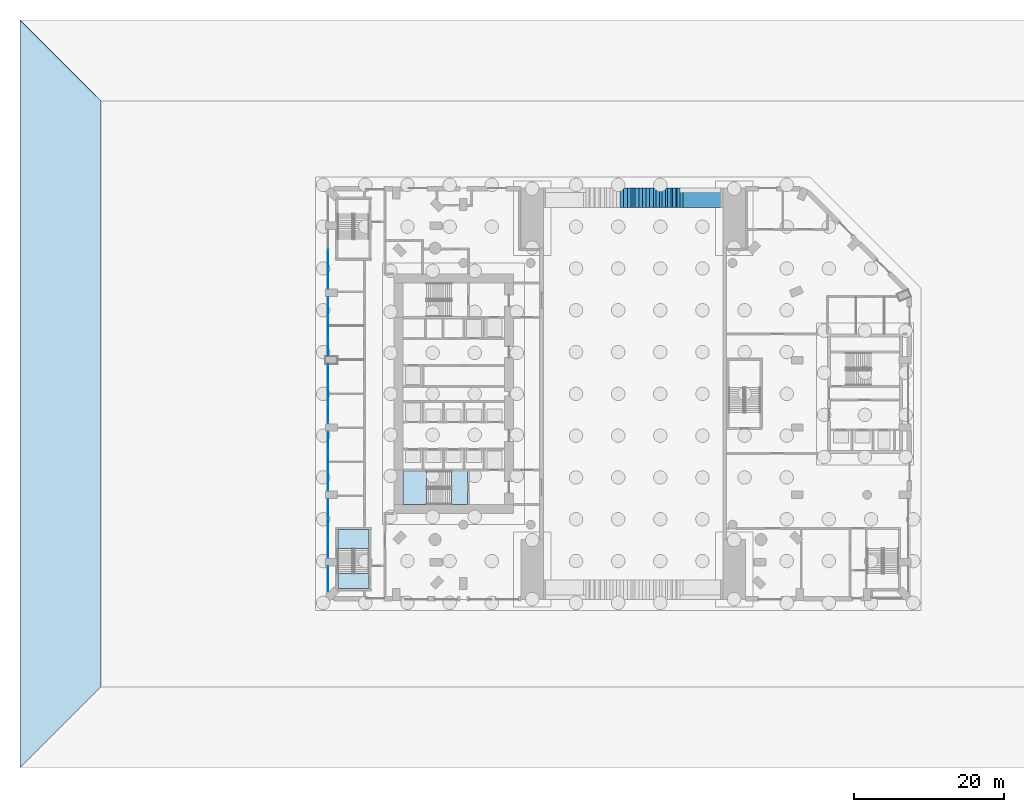
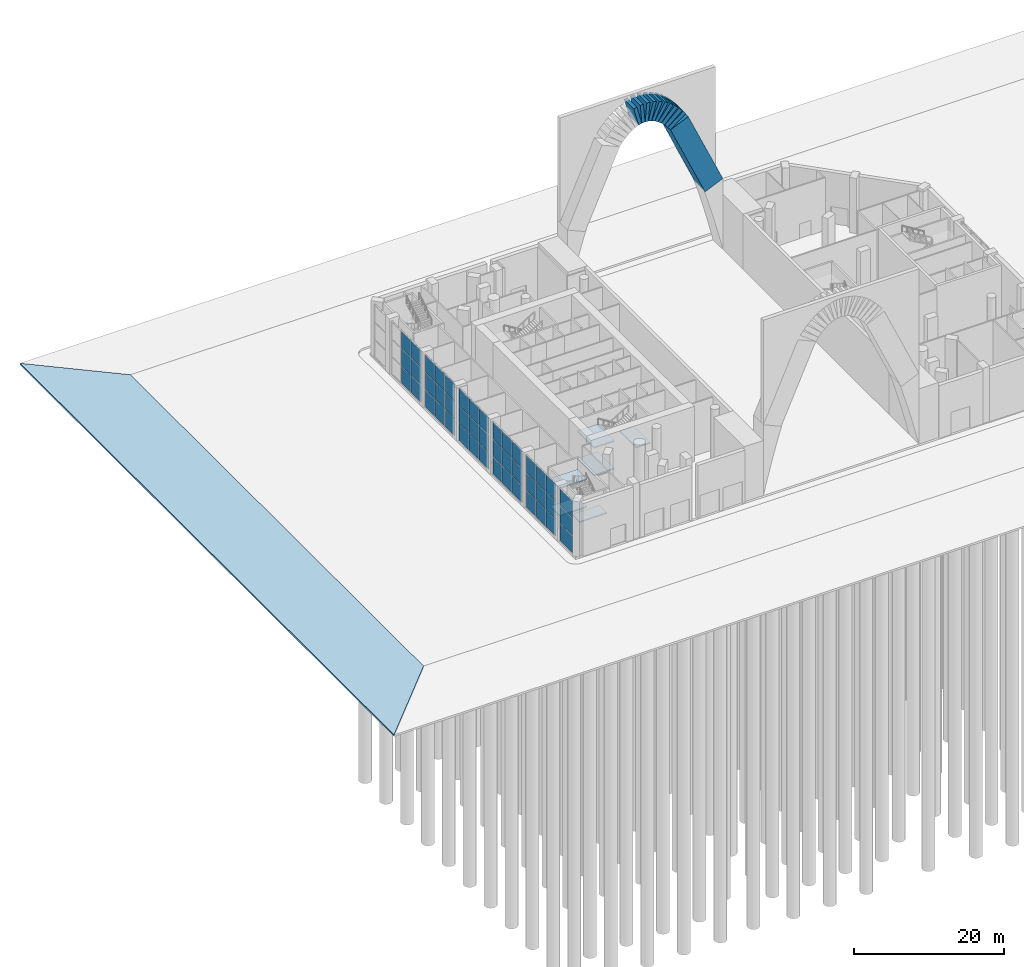
# One storey, part 7 of 25: 45 plates, 11 members, 7 slabs, 8 elements without a shape of their own.
"""IFC4 building model written with IfcOpenShell, lengths in metres."""

from ifc_helpers import new_model, si_unit, direction, frame, origin, origin_2d, place, context, subcontext, project, spatial, polyline, rectangle, outline, extrude, material, layer, layer_set, material_profile, profile_set, type_object, element, aggregate, save


model = new_model("IFC4")

# Units and contexts
model_context = context("Model", 3, precision=1e-05, world=origin(), true_north=direction((0.0, 1.0)))
body_context = subcontext(model_context, "Body", "Model", "MODEL_VIEW")
ifc_project = project(units=[si_unit("LENGTHUNIT", "METRE"), si_unit("AREAUNIT", "SQUARE_METRE"), si_unit("VOLUMEUNIT", "CUBIC_METRE"), si_unit("PLANEANGLEUNIT", "RADIAN"), si_unit("MASSUNIT", "GRAM", prefix="KILO")], contexts=[model_context])

# Site, building, storey
site_placement = place(None, origin())
site = spatial("IfcSite", under=ifc_project, at=site_placement, CompositionType="ELEMENT")
building_placement = place(site_placement, origin())
building = spatial("IfcBuilding", under=site, at=building_placement, Name="Cypress Arch Tower", CompositionType="ELEMENT")
storey_placement = place(building_placement, origin())
storey = spatial("IfcBuildingStorey", under=building, at=storey_placement, Name="L00", CompositionType="ELEMENT", Elevation=0.0)

# Members
ifc_material_1 = material(Name="Concrete C80/95", Category="concrete")
ifc_material_profile = material_profile(ifc_material_1, rectangle(XDim=2.60009765625, YDim=3.0, at=origin_2d()), Name="RC 2600x3000")
ifc_profile_set = profile_set([ifc_material_profile], Name="Concrete C80/95")
member_type = type_object("IfcMemberType", Name="Arch rib RC 2600x3000 Concrete C80/95", PredefinedType="USERDEFINED", material=ifc_profile_set)
member_1_placement = place(storey_placement, frame((0.623291015625, 26.199951171875, 26.2734375), z_axis=(0.967855042263, 0.0, 0.251508682087), x_axis=(0.0, 1.0, 0.0)))
element("IfcMember", 1, at=member_1_placement, inside=storey, type_object=member_type, Name="Gate arch rib RIB-N22", ObjectType="ARCH RIB", PredefinedType="USERDEFINED", context=body_context, shape_type="SweptSolid", body=[
    extrude(rectangle(XDim=2.60009765625, YDim=3.0, at=origin_2d()), origin(), (0.0, 0.0, 1.0), 0.511474609375),
])
for number, where, z_axis, x_axis, name in (
    (2, (1.3720703125, 26.199951171875, 26.445556640625), (0.996262654234, 0.0, 0.086375481352), (0.0, 1.0, 0.0), "Gate arch rib RIB-N23"),
    (3, (2.13232421875, 26.199951171875, 26.488525390625), (0.996262654234, 0.0, -0.086375481352), (0.0, 1.0, 0.0), "Gate arch rib RIB-N24"),
):
    element("IfcMember", number, at=place(storey_placement, frame(where, z_axis=z_axis, x_axis=x_axis)), inside=storey, type_object=member_type, Name=name, ObjectType="ARCH RIB", PredefinedType="USERDEFINED", context=body_context, shape_type="SweptSolid", body=[
        extrude(rectangle(XDim=2.60009765625, YDim=3.0, at=origin_2d()), origin(), (0.0, 0.0, 1.0), 0.49755859375),
    ])
member_2_placement = place(storey_placement, frame((2.881591796875, 26.199951171875, 26.402099609375), z_axis=(0.967855042263, 0.0, -0.251508682087), x_axis=(0.0, 1.0, 0.0)))
element("IfcMember", 4, at=member_2_placement, inside=storey, type_object=member_type, Name="Gate arch rib RIB-N25", ObjectType="ARCH RIB", PredefinedType="USERDEFINED", context=body_context, shape_type="SweptSolid", body=[
    extrude(rectangle(XDim=2.60009765625, YDim=3.0, at=origin_2d()), origin(), (0.0, 0.0, 1.0), 0.511474609375),
])
member_3_placement = place(storey_placement, frame((3.601318359375, 26.199951171875, 26.196044921875), z_axis=(0.917544609986, 0.0, -0.397632856647), x_axis=(0.0, 1.0, 0.0)))
element("IfcMember", 5, at=member_3_placement, inside=storey, type_object=member_type, Name="Gate arch rib RIB-N26", ObjectType="ARCH RIB", PredefinedType="USERDEFINED", context=body_context, shape_type="SweptSolid", body=[
    extrude(rectangle(XDim=2.60009765625, YDim=3.0, at=origin_2d()), origin(), (0.0, 0.0, 1.0), 0.5390625),
])
member_4_placement = place(storey_placement, frame((4.283203125, 26.199951171875, 25.885009765625), z_axis=(0.854988032959, 0.0, -0.518647725818), x_axis=(0.0, 1.0, 0.0)))
element("IfcMember", 6, at=member_4_placement, inside=storey, type_object=member_type, Name="Gate arch rib RIB-N27", ObjectType="ARCH RIB", PredefinedType="USERDEFINED", context=body_context, shape_type="SweptSolid", body=[
    extrude(rectangle(XDim=2.60009765625, YDim=3.0, at=origin_2d()), origin(), (0.0, 0.0, 1.0), 0.57861328125),
])
member_5_placement = place(storey_placement, frame((4.927490234375, 26.199951171875, 25.4814453125), z_axis=(0.788366417361, 0.0, -0.615205975245), x_axis=(0.0, 1.0, 0.0)))
element("IfcMember", 7, at=member_5_placement, inside=storey, type_object=member_type, Name="Gate arch rib RIB-N28", ObjectType="ARCH RIB", PredefinedType="USERDEFINED", context=body_context, shape_type="SweptSolid", body=[
    extrude(rectangle(XDim=2.60009765625, YDim=3.0, at=origin_2d()), origin(), (0.0, 0.0, 1.0), 0.62744140625),
])
member_6_placement = place(storey_placement, frame((5.539306640625, 26.199951171875, 24.994140625), z_axis=(0.723671260726, 0.0, -0.690144844507), x_axis=(0.0, 1.0, 0.0)))
element("IfcMember", 8, at=member_6_placement, inside=storey, type_object=member_type, Name="Gate arch rib RIB-N29", ObjectType="ARCH RIB", PredefinedType="USERDEFINED", context=body_context, shape_type="SweptSolid", body=[
    extrude(rectangle(XDim=2.60009765625, YDim=3.0, at=origin_2d()), origin(), (0.0, 0.0, 1.0), 0.6845703125),
])
member_7_placement = place(storey_placement, frame((6.125732421875, 26.199951171875, 24.42724609375), z_axis=(0.663349104296, 0.0, -0.748310073319), x_axis=(0.0, 1.0, 0.0)))
element("IfcMember", 9, at=member_7_placement, inside=storey, type_object=member_type, Name="Gate arch rib RIB-N30", ObjectType="ARCH RIB", PredefinedType="USERDEFINED", context=body_context, shape_type="SweptSolid", body=[
    extrude(rectangle(XDim=2.60009765625, YDim=3.0, at=origin_2d()), origin(), (0.0, 0.0, 1.0), 0.7470703125),
])
member_8_placement = place(storey_placement, frame((6.692138671875, 26.199951171875, 23.7822265625), z_axis=(0.609364245785, 0.0, -0.792890418633), x_axis=(0.0, 1.0, 0.0)))
element("IfcMember", 10, at=member_8_placement, inside=storey, type_object=member_type, Name="Gate arch rib RIB-N31", ObjectType="ARCH RIB", PredefinedType="USERDEFINED", context=body_context, shape_type="SweptSolid", body=[
    extrude(rectangle(XDim=2.60009765625, YDim=3.0, at=origin_2d()), origin(), (0.0, 0.0, 1.0), 0.68115234375),
])
member_9_placement = place(storey_placement, frame((7.291015625, 26.199951171875, 22.933349609375), z_axis=(0.4067510617, 0.0, -0.913539037921), x_axis=(0.0, 1.0, 0.0)))
element("IfcMember", 11, at=member_9_placement, inside=storey, type_object=member_type, Name="Gate arch rib RIB-N32", ObjectType="ARCH RIB", PredefinedType="USERDEFINED", context=body_context, shape_type="SweptSolid", body=[
    extrude(rectangle(XDim=2.60009765625, YDim=3.0, at=origin_2d()), origin(), (0.0, 0.0, 1.0), 13.125),
])

# Curtain wall, plates
ifc_material_2 = material(Name="Anodised aluminium, bronze finish, clear laminated low-emissivity double glazing", Category="aluminium")
curtain_wall_type = type_object("IfcCurtainWallType", Name="Curtain wall CW1 ground storefront", PredefinedType="NOTDEFINED", material=ifc_material_2)
curtain_wall_1_placement = place(storey_placement, origin())
curtain_wall_1 = element("IfcCurtainWall", 12, at=curtain_wall_1_placement, inside=storey, type_object=curtain_wall_type, Name="Curtain wall L00 P04.1.1", PredefinedType="NOTDEFINED")
ifc_material_3 = material(Name="Clear laminated low-emissivity double glazing", Category="glass")
ifc_layer_1 = layer(ifc_material_3, 0.035888671875)
ifc_layer_set_1 = layer_set([ifc_layer_1], Name="Glass panel CW1 36")
plate_type = type_object("IfcPlateType", Name="Glass panel CW1 36", PredefinedType="CURTAIN_PANEL", material=ifc_layer_set_1)
plate_1_placement = place(storey_placement, frame((-38.800048828125, 18.0, 0.06494140625), z_axis=(0.0, 0.0, 1.0), x_axis=(0.0, -1.0, 0.0)))
plate_1 = element("IfcPlate", 13, at=plate_1_placement, type_object=plate_type, Name="CW1 panel 2.1", PredefinedType="CURTAIN_PANEL", context=body_context, shape_type="SweptSolid", body=[
    extrude(rectangle(XDim=2.6015625, YDim=0.035888671875, at=origin_2d()), origin(), (0.0, 0.0, 1.0), 2.769287109375),
])
plate_2_placement = place(storey_placement, frame((-38.800048828125, 18.0, 2.899169921875), z_axis=(0.0, 0.0, 1.0), x_axis=(0.0, -1.0, 0.0)))
plate_2 = element("IfcPlate", 14, at=plate_2_placement, type_object=plate_type, Name="CW1 panel 2.2", PredefinedType="CURTAIN_PANEL", context=body_context, shape_type="SweptSolid", body=[
    extrude(rectangle(XDim=2.6015625, YDim=0.035888671875, at=origin_2d()), origin(), (0.0, 0.0, 1.0), 2.8017578125),
])
plate_3_placement = place(storey_placement, frame((-38.800048828125, 18.0, 5.765625), z_axis=(0.0, 0.0, 1.0), x_axis=(0.0, -1.0, 0.0)))
plate_3 = element("IfcPlate", 15, at=plate_3_placement, type_object=plate_type, Name="CW1 panel 2.3", PredefinedType="CURTAIN_PANEL", context=body_context, shape_type="SweptSolid", body=[
    extrude(rectangle(XDim=2.6015625, YDim=0.035888671875, at=origin_2d()), origin(), (0.0, 0.0, 1.0), 2.769287109375),
])
plate_4_placement = place(storey_placement, frame((-38.800048828125, 15.349609375, 0.06494140625), z_axis=(0.0, 0.0, 1.0), x_axis=(0.0, -1.0, 0.0)))
plate_4 = element("IfcPlate", 16, at=plate_4_placement, type_object=plate_type, Name="CW1 panel 3.1", PredefinedType="CURTAIN_PANEL", context=body_context, shape_type="SweptSolid", body=[
    extrude(rectangle(XDim=2.569091796875, YDim=0.035888671875, at=origin_2d()), origin(), (0.0, 0.0, 1.0), 2.769287109375),
])
plate_5_placement = place(storey_placement, frame((-38.800048828125, 15.349609375, 2.899169921875), z_axis=(0.0, 0.0, 1.0), x_axis=(0.0, -1.0, 0.0)))
plate_5 = element("IfcPlate", 17, at=plate_5_placement, type_object=plate_type, Name="CW1 panel 3.2", PredefinedType="CURTAIN_PANEL", context=body_context, shape_type="SweptSolid", body=[
    extrude(rectangle(XDim=2.569091796875, YDim=0.035888671875, at=origin_2d()), origin(), (0.0, 0.0, 1.0), 2.8017578125),
])
plate_6_placement = place(storey_placement, frame((-38.800048828125, 15.349609375, 5.765625), z_axis=(0.0, 0.0, 1.0), x_axis=(0.0, -1.0, 0.0)))
plate_6 = element("IfcPlate", 18, at=plate_6_placement, type_object=plate_type, Name="CW1 panel 3.3", PredefinedType="CURTAIN_PANEL", context=body_context, shape_type="SweptSolid", body=[
    extrude(rectangle(XDim=2.569091796875, YDim=0.035888671875, at=origin_2d()), origin(), (0.0, 0.0, 1.0), 2.769287109375),
])
aggregate(curtain_wall_1, [plate_1, plate_2, plate_3, plate_4, plate_5, plate_6])

curtain_wall_2_placement = place(storey_placement, origin())
curtain_wall_2 = element("IfcCurtainWall", 19, at=curtain_wall_2_placement, inside=storey, type_object=curtain_wall_type, Name="Curtain wall L00 P04.2.1", PredefinedType="NOTDEFINED")
plate_7_placement = place(storey_placement, frame((-38.800048828125, 11.650390625, 0.06494140625), z_axis=(0.0, 0.0, 1.0), x_axis=(0.0, -1.0, 0.0)))
plate_7 = element("IfcPlate", 20, at=plate_7_placement, type_object=plate_type, Name="CW1 panel 1.1", PredefinedType="CURTAIN_PANEL", context=body_context, shape_type="SweptSolid", body=[
    extrude(rectangle(XDim=2.569091796875, YDim=0.035888671875, at=origin_2d()), origin(), (0.0, 0.0, 1.0), 2.769287109375),
])
plate_8_placement = place(storey_placement, frame((-38.800048828125, 11.650390625, 2.899169921875), z_axis=(0.0, 0.0, 1.0), x_axis=(0.0, -1.0, 0.0)))
plate_8 = element("IfcPlate", 21, at=plate_8_placement, type_object=plate_type, Name="CW1 panel 1.2", PredefinedType="CURTAIN_PANEL", context=body_context, shape_type="SweptSolid", body=[
    extrude(rectangle(XDim=2.569091796875, YDim=0.035888671875, at=origin_2d()), origin(), (0.0, 0.0, 1.0), 2.8017578125),
])
plate_9_placement = place(storey_placement, frame((-38.800048828125, 11.650390625, 5.765625), z_axis=(0.0, 0.0, 1.0), x_axis=(0.0, -1.0, 0.0)))
plate_9 = element("IfcPlate", 22, at=plate_9_placement, type_object=plate_type, Name="CW1 panel 1.3", PredefinedType="CURTAIN_PANEL", context=body_context, shape_type="SweptSolid", body=[
    extrude(rectangle(XDim=2.569091796875, YDim=0.035888671875, at=origin_2d()), origin(), (0.0, 0.0, 1.0), 2.769287109375),
])
plate_10_placement = place(storey_placement, frame((-38.800048828125, 9.0, 0.06494140625), z_axis=(0.0, 0.0, 1.0), x_axis=(0.0, -1.0, 0.0)))
plate_10 = element("IfcPlate", 23, at=plate_10_placement, type_object=plate_type, Name="CW1 panel 2.1", PredefinedType="CURTAIN_PANEL", context=body_context, shape_type="SweptSolid", body=[
    extrude(rectangle(XDim=2.6015625, YDim=0.035888671875, at=origin_2d()), origin(), (0.0, 0.0, 1.0), 2.769287109375),
])
plate_11_placement = place(storey_placement, frame((-38.800048828125, 9.0, 2.899169921875), z_axis=(0.0, 0.0, 1.0), x_axis=(0.0, -1.0, 0.0)))
plate_11 = element("IfcPlate", 24, at=plate_11_placement, type_object=plate_type, Name="CW1 panel 2.2", PredefinedType="CURTAIN_PANEL", context=body_context, shape_type="SweptSolid", body=[
    extrude(rectangle(XDim=2.6015625, YDim=0.035888671875, at=origin_2d()), origin(), (0.0, 0.0, 1.0), 2.8017578125),
])
plate_12_placement = place(storey_placement, frame((-38.800048828125, 9.0, 5.765625), z_axis=(0.0, 0.0, 1.0), x_axis=(0.0, -1.0, 0.0)))
plate_12 = element("IfcPlate", 25, at=plate_12_placement, type_object=plate_type, Name="CW1 panel 2.3", PredefinedType="CURTAIN_PANEL", context=body_context, shape_type="SweptSolid", body=[
    extrude(rectangle(XDim=2.6015625, YDim=0.035888671875, at=origin_2d()), origin(), (0.0, 0.0, 1.0), 2.769287109375),
])
plate_13_placement = place(storey_placement, frame((-38.800048828125, 6.349609375, 0.06494140625), z_axis=(0.0, 0.0, 1.0), x_axis=(0.0, -1.0, 0.0)))
plate_13 = element("IfcPlate", 26, at=plate_13_placement, type_object=plate_type, Name="CW1 panel 3.1", PredefinedType="CURTAIN_PANEL", context=body_context, shape_type="SweptSolid", body=[
    extrude(rectangle(XDim=2.569091796875, YDim=0.035888671875, at=origin_2d()), origin(), (0.0, 0.0, 1.0), 2.769287109375),
])
plate_14_placement = place(storey_placement, frame((-38.800048828125, 6.349609375, 2.899169921875), z_axis=(0.0, 0.0, 1.0), x_axis=(0.0, -1.0, 0.0)))
plate_14 = element("IfcPlate", 27, at=plate_14_placement, type_object=plate_type, Name="CW1 panel 3.2", PredefinedType="CURTAIN_PANEL", context=body_context, shape_type="SweptSolid", body=[
    extrude(rectangle(XDim=2.569091796875, YDim=0.035888671875, at=origin_2d()), origin(), (0.0, 0.0, 1.0), 2.8017578125),
])
plate_15_placement = place(storey_placement, frame((-38.800048828125, 6.349609375, 5.765625), z_axis=(0.0, 0.0, 1.0), x_axis=(0.0, -1.0, 0.0)))
plate_15 = element("IfcPlate", 28, at=plate_15_placement, type_object=plate_type, Name="CW1 panel 3.3", PredefinedType="CURTAIN_PANEL", context=body_context, shape_type="SweptSolid", body=[
    extrude(rectangle(XDim=2.569091796875, YDim=0.035888671875, at=origin_2d()), origin(), (0.0, 0.0, 1.0), 2.769287109375),
])
aggregate(curtain_wall_2, [plate_7, plate_8, plate_9, plate_10, plate_11, plate_12, plate_13, plate_14, plate_15])

curtain_wall_3_placement = place(storey_placement, origin())
curtain_wall_3 = element("IfcCurtainWall", 29, at=curtain_wall_3_placement, inside=storey, type_object=curtain_wall_type, Name="Curtain wall L00 P04.3.1", PredefinedType="NOTDEFINED")
plate_16_placement = place(storey_placement, frame((-38.800048828125, 2.650390625, 0.06494140625), z_axis=(0.0, 0.0, 1.0), x_axis=(0.0, -1.0, 0.0)))
plate_16 = element("IfcPlate", 30, at=plate_16_placement, type_object=plate_type, Name="CW1 panel 1.1", PredefinedType="CURTAIN_PANEL", context=body_context, shape_type="SweptSolid", body=[
    extrude(rectangle(XDim=2.569091796875, YDim=0.035888671875, at=origin_2d()), origin(), (0.0, 0.0, 1.0), 2.769287109375),
])
plate_17_placement = place(storey_placement, frame((-38.800048828125, 2.650390625, 2.899169921875), z_axis=(0.0, 0.0, 1.0), x_axis=(0.0, -1.0, 0.0)))
plate_17 = element("IfcPlate", 31, at=plate_17_placement, type_object=plate_type, Name="CW1 panel 1.2", PredefinedType="CURTAIN_PANEL", context=body_context, shape_type="SweptSolid", body=[
    extrude(rectangle(XDim=2.569091796875, YDim=0.035888671875, at=origin_2d()), origin(), (0.0, 0.0, 1.0), 2.8017578125),
])
plate_18_placement = place(storey_placement, frame((-38.800048828125, 2.650390625, 5.765625), z_axis=(0.0, 0.0, 1.0), x_axis=(0.0, -1.0, 0.0)))
plate_18 = element("IfcPlate", 32, at=plate_18_placement, type_object=plate_type, Name="CW1 panel 1.3", PredefinedType="CURTAIN_PANEL", context=body_context, shape_type="SweptSolid", body=[
    extrude(rectangle(XDim=2.569091796875, YDim=0.035888671875, at=origin_2d()), origin(), (0.0, 0.0, 1.0), 2.769287109375),
])
plate_19_placement = place(storey_placement, frame((-38.800048828125, 0.0, 0.06494140625), z_axis=(0.0, 0.0, 1.0), x_axis=(0.0, -1.0, 0.0)))
plate_19 = element("IfcPlate", 33, at=plate_19_placement, type_object=plate_type, Name="CW1 panel 2.1", PredefinedType="CURTAIN_PANEL", context=body_context, shape_type="SweptSolid", body=[
    extrude(rectangle(XDim=2.6015625, YDim=0.035888671875, at=origin_2d()), origin(), (0.0, 0.0, 1.0), 2.769287109375),
])
plate_20_placement = place(storey_placement, frame((-38.800048828125, 0.0, 2.899169921875), z_axis=(0.0, 0.0, 1.0), x_axis=(0.0, -1.0, 0.0)))
plate_20 = element("IfcPlate", 34, at=plate_20_placement, type_object=plate_type, Name="CW1 panel 2.2", PredefinedType="CURTAIN_PANEL", context=body_context, shape_type="SweptSolid", body=[
    extrude(rectangle(XDim=2.6015625, YDim=0.035888671875, at=origin_2d()), origin(), (0.0, 0.0, 1.0), 2.8017578125),
])
plate_21_placement = place(storey_placement, frame((-38.800048828125, 0.0, 5.765625), z_axis=(0.0, 0.0, 1.0), x_axis=(0.0, -1.0, 0.0)))
plate_21 = element("IfcPlate", 35, at=plate_21_placement, type_object=plate_type, Name="CW1 panel 2.3", PredefinedType="CURTAIN_PANEL", context=body_context, shape_type="SweptSolid", body=[
    extrude(rectangle(XDim=2.6015625, YDim=0.035888671875, at=origin_2d()), origin(), (0.0, 0.0, 1.0), 2.769287109375),
])
plate_22_placement = place(storey_placement, frame((-38.800048828125, -2.650390625, 0.06494140625), z_axis=(0.0, 0.0, 1.0), x_axis=(0.0, -1.0, 0.0)))
plate_22 = element("IfcPlate", 36, at=plate_22_placement, type_object=plate_type, Name="CW1 panel 3.1", PredefinedType="CURTAIN_PANEL", context=body_context, shape_type="SweptSolid", body=[
    extrude(rectangle(XDim=2.569091796875, YDim=0.035888671875, at=origin_2d()), origin(), (0.0, 0.0, 1.0), 2.769287109375),
])
plate_23_placement = place(storey_placement, frame((-38.800048828125, -2.650390625, 2.899169921875), z_axis=(0.0, 0.0, 1.0), x_axis=(0.0, -1.0, 0.0)))
plate_23 = element("IfcPlate", 37, at=plate_23_placement, type_object=plate_type, Name="CW1 panel 3.2", PredefinedType="CURTAIN_PANEL", context=body_context, shape_type="SweptSolid", body=[
    extrude(rectangle(XDim=2.569091796875, YDim=0.035888671875, at=origin_2d()), origin(), (0.0, 0.0, 1.0), 2.8017578125),
])
plate_24_placement = place(storey_placement, frame((-38.800048828125, -2.650390625, 5.765625), z_axis=(0.0, 0.0, 1.0), x_axis=(0.0, -1.0, 0.0)))
plate_24 = element("IfcPlate", 38, at=plate_24_placement, type_object=plate_type, Name="CW1 panel 3.3", PredefinedType="CURTAIN_PANEL", context=body_context, shape_type="SweptSolid", body=[
    extrude(rectangle(XDim=2.569091796875, YDim=0.035888671875, at=origin_2d()), origin(), (0.0, 0.0, 1.0), 2.769287109375),
])
aggregate(curtain_wall_3, [plate_16, plate_17, plate_18, plate_19, plate_20, plate_21, plate_22, plate_23, plate_24])

curtain_wall_4_placement = place(storey_placement, origin())
curtain_wall_4 = element("IfcCurtainWall", 39, at=curtain_wall_4_placement, inside=storey, type_object=curtain_wall_type, Name="Curtain wall L00 P04.4.1", PredefinedType="NOTDEFINED")
plate_25_placement = place(storey_placement, frame((-38.800048828125, -6.349609375, 0.06494140625), z_axis=(0.0, 0.0, 1.0), x_axis=(0.0, -1.0, 0.0)))
plate_25 = element("IfcPlate", 40, at=plate_25_placement, type_object=plate_type, Name="CW1 panel 1.1", PredefinedType="CURTAIN_PANEL", context=body_context, shape_type="SweptSolid", body=[
    extrude(rectangle(XDim=2.569091796875, YDim=0.035888671875, at=origin_2d()), origin(), (0.0, 0.0, 1.0), 2.769287109375),
])
plate_26_placement = place(storey_placement, frame((-38.800048828125, -6.349609375, 2.899169921875), z_axis=(0.0, 0.0, 1.0), x_axis=(0.0, -1.0, 0.0)))
plate_26 = element("IfcPlate", 41, at=plate_26_placement, type_object=plate_type, Name="CW1 panel 1.2", PredefinedType="CURTAIN_PANEL", context=body_context, shape_type="SweptSolid", body=[
    extrude(rectangle(XDim=2.569091796875, YDim=0.035888671875, at=origin_2d()), origin(), (0.0, 0.0, 1.0), 2.8017578125),
])
plate_27_placement = place(storey_placement, frame((-38.800048828125, -6.349609375, 5.765625), z_axis=(0.0, 0.0, 1.0), x_axis=(0.0, -1.0, 0.0)))
plate_27 = element("IfcPlate", 42, at=plate_27_placement, type_object=plate_type, Name="CW1 panel 1.3", PredefinedType="CURTAIN_PANEL", context=body_context, shape_type="SweptSolid", body=[
    extrude(rectangle(XDim=2.569091796875, YDim=0.035888671875, at=origin_2d()), origin(), (0.0, 0.0, 1.0), 2.769287109375),
])
plate_28_placement = place(storey_placement, frame((-38.800048828125, -9.0, 0.06494140625), z_axis=(0.0, 0.0, 1.0), x_axis=(0.0, -1.0, 0.0)))
plate_28 = element("IfcPlate", 43, at=plate_28_placement, type_object=plate_type, Name="CW1 panel 2.1", PredefinedType="CURTAIN_PANEL", context=body_context, shape_type="SweptSolid", body=[
    extrude(rectangle(XDim=2.6015625, YDim=0.035888671875, at=origin_2d()), origin(), (0.0, 0.0, 1.0), 2.769287109375),
])
plate_29_placement = place(storey_placement, frame((-38.800048828125, -9.0, 2.899169921875), z_axis=(0.0, 0.0, 1.0), x_axis=(0.0, -1.0, 0.0)))
plate_29 = element("IfcPlate", 44, at=plate_29_placement, type_object=plate_type, Name="CW1 panel 2.2", PredefinedType="CURTAIN_PANEL", context=body_context, shape_type="SweptSolid", body=[
    extrude(rectangle(XDim=2.6015625, YDim=0.035888671875, at=origin_2d()), origin(), (0.0, 0.0, 1.0), 2.8017578125),
])
plate_30_placement = place(storey_placement, frame((-38.800048828125, -9.0, 5.765625), z_axis=(0.0, 0.0, 1.0), x_axis=(0.0, -1.0, 0.0)))
plate_30 = element("IfcPlate", 45, at=plate_30_placement, type_object=plate_type, Name="CW1 panel 2.3", PredefinedType="CURTAIN_PANEL", context=body_context, shape_type="SweptSolid", body=[
    extrude(rectangle(XDim=2.6015625, YDim=0.035888671875, at=origin_2d()), origin(), (0.0, 0.0, 1.0), 2.769287109375),
])
plate_31_placement = place(storey_placement, frame((-38.800048828125, -11.650390625, 0.06494140625), z_axis=(0.0, 0.0, 1.0), x_axis=(0.0, -1.0, 0.0)))
plate_31 = element("IfcPlate", 46, at=plate_31_placement, type_object=plate_type, Name="CW1 panel 3.1", PredefinedType="CURTAIN_PANEL", context=body_context, shape_type="SweptSolid", body=[
    extrude(rectangle(XDim=2.569091796875, YDim=0.035888671875, at=origin_2d()), origin(), (0.0, 0.0, 1.0), 2.769287109375),
])
plate_32_placement = place(storey_placement, frame((-38.800048828125, -11.650390625, 2.899169921875), z_axis=(0.0, 0.0, 1.0), x_axis=(0.0, -1.0, 0.0)))
plate_32 = element("IfcPlate", 47, at=plate_32_placement, type_object=plate_type, Name="CW1 panel 3.2", PredefinedType="CURTAIN_PANEL", context=body_context, shape_type="SweptSolid", body=[
    extrude(rectangle(XDim=2.569091796875, YDim=0.035888671875, at=origin_2d()), origin(), (0.0, 0.0, 1.0), 2.8017578125),
])
plate_33_placement = place(storey_placement, frame((-38.800048828125, -11.650390625, 5.765625), z_axis=(0.0, 0.0, 1.0), x_axis=(0.0, -1.0, 0.0)))
plate_33 = element("IfcPlate", 48, at=plate_33_placement, type_object=plate_type, Name="CW1 panel 3.3", PredefinedType="CURTAIN_PANEL", context=body_context, shape_type="SweptSolid", body=[
    extrude(rectangle(XDim=2.569091796875, YDim=0.035888671875, at=origin_2d()), origin(), (0.0, 0.0, 1.0), 2.769287109375),
])
aggregate(curtain_wall_4, [plate_25, plate_26, plate_27, plate_28, plate_29, plate_30, plate_31, plate_32, plate_33])

curtain_wall_5_placement = place(storey_placement, origin())
curtain_wall_5 = element("IfcCurtainWall", 49, at=curtain_wall_5_placement, inside=storey, type_object=curtain_wall_type, Name="Curtain wall L00 P04.5.1", PredefinedType="NOTDEFINED")
plate_34_placement = place(storey_placement, frame((-38.800048828125, -15.349609375, 0.06494140625), z_axis=(0.0, 0.0, 1.0), x_axis=(0.0, -1.0, 0.0)))
plate_34 = element("IfcPlate", 50, at=plate_34_placement, type_object=plate_type, Name="CW1 panel 1.1", PredefinedType="CURTAIN_PANEL", context=body_context, shape_type="SweptSolid", body=[
    extrude(rectangle(XDim=2.569091796875, YDim=0.035888671875, at=origin_2d()), origin(), (0.0, 0.0, 1.0), 2.769287109375),
])
plate_35_placement = place(storey_placement, frame((-38.800048828125, -15.349609375, 2.899169921875), z_axis=(0.0, 0.0, 1.0), x_axis=(0.0, -1.0, 0.0)))
plate_35 = element("IfcPlate", 51, at=plate_35_placement, type_object=plate_type, Name="CW1 panel 1.2", PredefinedType="CURTAIN_PANEL", context=body_context, shape_type="SweptSolid", body=[
    extrude(rectangle(XDim=2.569091796875, YDim=0.035888671875, at=origin_2d()), origin(), (0.0, 0.0, 1.0), 2.8017578125),
])
plate_36_placement = place(storey_placement, frame((-38.800048828125, -15.349609375, 5.765625), z_axis=(0.0, 0.0, 1.0), x_axis=(0.0, -1.0, 0.0)))
plate_36 = element("IfcPlate", 52, at=plate_36_placement, type_object=plate_type, Name="CW1 panel 1.3", PredefinedType="CURTAIN_PANEL", context=body_context, shape_type="SweptSolid", body=[
    extrude(rectangle(XDim=2.569091796875, YDim=0.035888671875, at=origin_2d()), origin(), (0.0, 0.0, 1.0), 2.769287109375),
])
plate_37_placement = place(storey_placement, frame((-38.800048828125, -18.0, 0.06494140625), z_axis=(0.0, 0.0, 1.0), x_axis=(0.0, -1.0, 0.0)))
plate_37 = element("IfcPlate", 53, at=plate_37_placement, type_object=plate_type, Name="CW1 panel 2.1", PredefinedType="CURTAIN_PANEL", context=body_context, shape_type="SweptSolid", body=[
    extrude(rectangle(XDim=2.6015625, YDim=0.035888671875, at=origin_2d()), origin(), (0.0, 0.0, 1.0), 2.769287109375),
])
plate_38_placement = place(storey_placement, frame((-38.800048828125, -18.0, 2.899169921875), z_axis=(0.0, 0.0, 1.0), x_axis=(0.0, -1.0, 0.0)))
plate_38 = element("IfcPlate", 54, at=plate_38_placement, type_object=plate_type, Name="CW1 panel 2.2", PredefinedType="CURTAIN_PANEL", context=body_context, shape_type="SweptSolid", body=[
    extrude(rectangle(XDim=2.6015625, YDim=0.035888671875, at=origin_2d()), origin(), (0.0, 0.0, 1.0), 2.8017578125),
])
plate_39_placement = place(storey_placement, frame((-38.800048828125, -18.0, 5.765625), z_axis=(0.0, 0.0, 1.0), x_axis=(0.0, -1.0, 0.0)))
plate_39 = element("IfcPlate", 55, at=plate_39_placement, type_object=plate_type, Name="CW1 panel 2.3", PredefinedType="CURTAIN_PANEL", context=body_context, shape_type="SweptSolid", body=[
    extrude(rectangle(XDim=2.6015625, YDim=0.035888671875, at=origin_2d()), origin(), (0.0, 0.0, 1.0), 2.769287109375),
])
plate_40_placement = place(storey_placement, frame((-38.800048828125, -20.650390625, 0.06494140625), z_axis=(0.0, 0.0, 1.0), x_axis=(0.0, -1.0, 0.0)))
plate_40 = element("IfcPlate", 56, at=plate_40_placement, type_object=plate_type, Name="CW1 panel 3.1", PredefinedType="CURTAIN_PANEL", context=body_context, shape_type="SweptSolid", body=[
    extrude(rectangle(XDim=2.569091796875, YDim=0.035888671875, at=origin_2d()), origin(), (0.0, 0.0, 1.0), 2.769287109375),
])
plate_41_placement = place(storey_placement, frame((-38.800048828125, -20.650390625, 2.899169921875), z_axis=(0.0, 0.0, 1.0), x_axis=(0.0, -1.0, 0.0)))
plate_41 = element("IfcPlate", 57, at=plate_41_placement, type_object=plate_type, Name="CW1 panel 3.2", PredefinedType="CURTAIN_PANEL", context=body_context, shape_type="SweptSolid", body=[
    extrude(rectangle(XDim=2.569091796875, YDim=0.035888671875, at=origin_2d()), origin(), (0.0, 0.0, 1.0), 2.8017578125),
])
plate_42_placement = place(storey_placement, frame((-38.800048828125, -20.650390625, 5.765625), z_axis=(0.0, 0.0, 1.0), x_axis=(0.0, -1.0, 0.0)))
plate_42 = element("IfcPlate", 58, at=plate_42_placement, type_object=plate_type, Name="CW1 panel 3.3", PredefinedType="CURTAIN_PANEL", context=body_context, shape_type="SweptSolid", body=[
    extrude(rectangle(XDim=2.569091796875, YDim=0.035888671875, at=origin_2d()), origin(), (0.0, 0.0, 1.0), 2.769287109375),
])
aggregate(curtain_wall_5, [plate_34, plate_35, plate_36, plate_37, plate_38, plate_39, plate_40, plate_41, plate_42])

curtain_wall_6_placement = place(storey_placement, origin())
curtain_wall_6 = element("IfcCurtainWall", 59, at=curtain_wall_6_placement, inside=storey, type_object=curtain_wall_type, Name="Curtain wall L00 P04.6.1", PredefinedType="NOTDEFINED")
plate_43_placement = place(storey_placement, frame((-38.800048828125, -24.746337890625, 0.06494140625), z_axis=(0.0, 0.0, 1.0), x_axis=(0.0, -1.0, 0.0)))
plate_43 = element("IfcPlate", 60, at=plate_43_placement, type_object=plate_type, Name="CW1 panel 1.1", PredefinedType="CURTAIN_PANEL", context=body_context, shape_type="SweptSolid", body=[
    extrude(rectangle(XDim=3.36279296875, YDim=0.035888671875, at=origin_2d()), origin(), (0.0, 0.0, 1.0), 2.769287109375),
])
plate_44_placement = place(storey_placement, frame((-38.800048828125, -24.746337890625, 2.899169921875), z_axis=(0.0, 0.0, 1.0), x_axis=(0.0, -1.0, 0.0)))
plate_44 = element("IfcPlate", 61, at=plate_44_placement, type_object=plate_type, Name="CW1 panel 1.2", PredefinedType="CURTAIN_PANEL", context=body_context, shape_type="SweptSolid", body=[
    extrude(rectangle(XDim=3.36279296875, YDim=0.035888671875, at=origin_2d()), origin(), (0.0, 0.0, 1.0), 2.8017578125),
])
plate_45_placement = place(storey_placement, frame((-38.800048828125, -24.746337890625, 5.765625), z_axis=(0.0, 0.0, 1.0), x_axis=(0.0, -1.0, 0.0)))
plate_45 = element("IfcPlate", 62, at=plate_45_placement, type_object=plate_type, Name="CW1 panel 1.3", PredefinedType="CURTAIN_PANEL", context=body_context, shape_type="SweptSolid", body=[
    extrude(rectangle(XDim=3.36279296875, YDim=0.035888671875, at=origin_2d()), origin(), (0.0, 0.0, 1.0), 2.769287109375),
])
aggregate(curtain_wall_6, [plate_43, plate_44, plate_45])

# Slab
ifc_material_4 = material(Name="Concrete C40/50, clay pavers", Category="concrete")
ifc_layer_2 = layer(ifc_material_4, 0.300048828125)
ifc_layer_set_2 = layer_set([ifc_layer_2], Name="Paving PV300")
slab_type_1 = type_object("IfcSlabType", Name="Paving PV300", PredefinedType="USERDEFINED", material=ifc_layer_set_2)
slab_1_placement = place(storey_placement, frame((-69.199951171875, -39.199951171875, 0.0), z_axis=(-0.083036158149, 0.0, 0.99654653501), x_axis=(0.0, 1.0, 0.0)))
element("IfcSlab", 63, at=slab_1_placement, inside=storey, type_object=slab_type_1, Name="Street ramp W", ObjectType="PAVING", PredefinedType="USERDEFINED", context=body_context, shape_type="SweptSolid", body=[
    extrude(outline(polyline([(0.0, 0.0), (78.39990234375, 0.0), (89.199951171875, 10.837475670937902), (-10.800048828125, 10.837475670937902), (0.0, 0.0)])), origin(), (0.0, 0.0, -1.0), 0.300048828125),
])

# Stair, slabs
ifc_material_5 = material(Name="Concrete C40/50", Category="concrete")
stair_type_1 = type_object("IfcStairType", Name="Exit stair ES1731-215", PredefinedType="HALF_TURN_STAIR", material=ifc_material_5)
stair_1_placement = place(storey_placement, origin())
stair_1 = element("IfcStair", 64, at=stair_1_placement, inside=storey, type_object=stair_type_1, Name="L00 Exit stair A", PredefinedType="HALF_TURN_STAIR")
ifc_material_6 = material(Name="Concrete C40/50", Category="concrete")
ifc_layer_3 = layer(ifc_material_6, 0.199951171875)
ifc_layer_set_3 = layer_set([ifc_layer_3], Name="Stair landing SL200")
slab_type_2 = type_object("IfcSlabType", Name="Stair landing SL200", PredefinedType="LANDING", material=ifc_layer_set_3)
slab_2_placement = place(storey_placement, frame((0.0, 0.0, 2.050048828125)))
slab_2 = element("IfcSlab", 65, at=slab_2_placement, type_object=slab_type_2, Name="A landing 1", PredefinedType="LANDING", context=body_context, shape_type="SweptSolid", body=[
    extrude(outline(polyline([(-25.635009765625, -10.324951171875), (-28.800048828125, -10.324951171875), (-28.800048828125, -14.800048828125), (-25.635009765625, -14.800048828125), (-25.635009765625, -10.324951171875)])), origin(), (0.0, 0.0, 1.0), 0.199951171875),
])
slab_3_placement = place(storey_placement, frame((0.0, 0.0, 4.300048828125)))
slab_3 = element("IfcSlab", 66, at=slab_3_placement, type_object=slab_type_2, Name="A landing 2", PredefinedType="LANDING", context=body_context, shape_type="SweptSolid", body=[
    extrude(outline(polyline([(-20.125, -10.324951171875), (-22.27490234375, -10.324951171875), (-22.27490234375, -14.800048828125), (-20.125, -14.800048828125), (-20.125, -10.324951171875)])), origin(), (0.0, 0.0, 1.0), 0.199951171875),
])
slab_4_placement = place(storey_placement, frame((0.0, 0.0, 6.550048828125)))
slab_4 = element("IfcSlab", 67, at=slab_4_placement, type_object=slab_type_2, Name="A landing 3", PredefinedType="LANDING", context=body_context, shape_type="SweptSolid", body=[
    extrude(outline(polyline([(-25.635009765625, -10.324951171875), (-28.800048828125, -10.324951171875), (-28.800048828125, -14.800048828125), (-25.635009765625, -14.800048828125), (-25.635009765625, -10.324951171875)])), origin(), (0.0, 0.0, 1.0), 0.199951171875),
])
aggregate(stair_1, [slab_2, slab_3, slab_4])

ifc_material_7 = material(Name="Concrete C40/50", Category="concrete")
stair_type_2 = type_object("IfcStairType", Name="Exit stair ES1731-200", PredefinedType="HALF_TURN_STAIR", material=ifc_material_7)
stair_2_placement = place(storey_placement, origin())
stair_2 = element("IfcStair", 68, at=stair_2_placement, inside=storey, type_object=stair_type_2, Name="L00 Exit stair P1", PredefinedType="HALF_TURN_STAIR")
slab_5_placement = place(storey_placement, frame((0.0, 0.0, 2.050048828125)))
slab_5 = element("IfcSlab", 69, at=slab_5_placement, type_object=slab_type_2, Name="P1 landing 1", PredefinedType="LANDING", context=body_context, shape_type="SweptSolid", body=[
    extrude(outline(polyline([(-33.300048828125, -20.68994140625), (-33.300048828125, -18.1298828125), (-37.5, -18.1298828125), (-37.5, -20.68994140625), (-33.300048828125, -20.68994140625)])), origin(), (0.0, 0.0, 1.0), 0.199951171875),
])
slab_6_placement = place(storey_placement, frame((0.0, 0.0, 4.300048828125)))
slab_6 = element("IfcSlab", 70, at=slab_6_placement, type_object=slab_type_2, Name="P1 landing 2", PredefinedType="LANDING", context=body_context, shape_type="SweptSolid", body=[
    extrude(outline(polyline([(-33.300048828125, -26.050048828125), (-33.300048828125, -24.050048828125), (-37.5, -24.050048828125), (-37.5, -26.050048828125), (-33.300048828125, -26.050048828125)])), origin(), (0.0, 0.0, 1.0), 0.199951171875),
])
slab_7_placement = place(storey_placement, frame((0.0, 0.0, 6.550048828125)))
slab_7 = element("IfcSlab", 71, at=slab_7_placement, type_object=slab_type_2, Name="P1 landing 3", PredefinedType="LANDING", context=body_context, shape_type="SweptSolid", body=[
    extrude(outline(polyline([(-33.300048828125, -20.68994140625), (-33.300048828125, -18.1298828125), (-37.5, -18.1298828125), (-37.5, -20.68994140625), (-33.300048828125, -20.68994140625)])), origin(), (0.0, 0.0, 1.0), 0.199951171875),
])
aggregate(stair_2, [slab_5, slab_6, slab_7])

save(model, "model.ifc")
